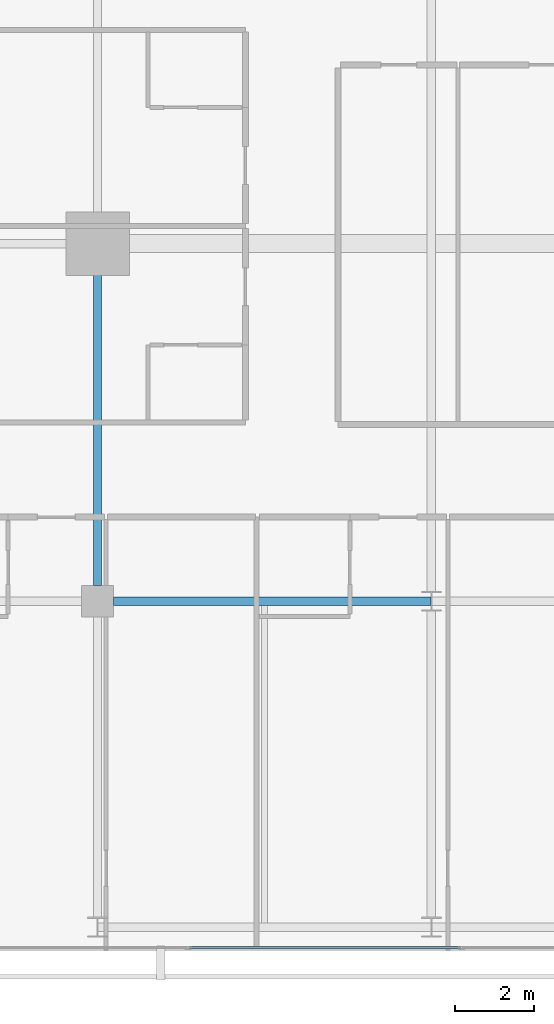
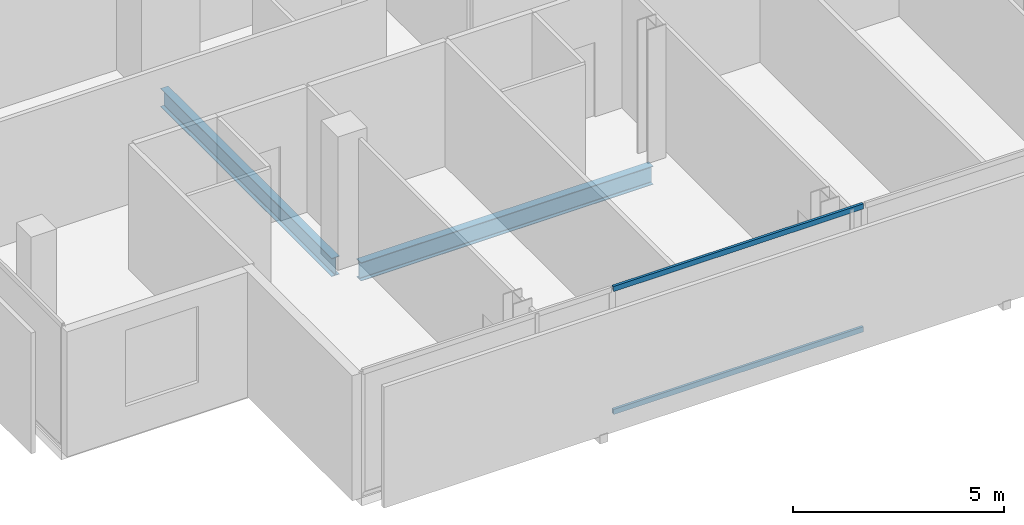
# One storey, part 5 of 26: 2 beams, 2 members, 1 element without a shape of its own.
"""IFC4 building model written with IfcOpenShell, lengths in metres."""

from ifc_helpers import new_model, si_unit, direction, frame, origin, origin_2d, place, context, subcontext, project, spatial, hollow_rectangle, i_section, extrude, material, layer, layer_set, material_profile, profile_set, type_object, element, aggregate, save


model = new_model("IFC4")

# Units and contexts
model_context = context("Model", 3, precision=1e-05, world=origin(), true_north=direction((0.0, 1.0)))
body_context = subcontext(model_context, "Body", "Model", "MODEL_VIEW")
ifc_project = project(units=[si_unit("LENGTHUNIT", "METRE"), si_unit("AREAUNIT", "SQUARE_METRE"), si_unit("VOLUMEUNIT", "CUBIC_METRE"), si_unit("PLANEANGLEUNIT", "RADIAN"), si_unit("MASSUNIT", "GRAM", prefix="KILO")], contexts=[model_context])

# Site, building, storey
site_placement = place(None, origin())
site = spatial("IfcSite", under=ifc_project, at=site_placement, CompositionType="ELEMENT")
building_placement = place(site_placement, origin())
building = spatial("IfcBuilding", under=site, at=building_placement, Name="Maruvema Waterfront Hotel and Observation Tower", CompositionType="ELEMENT")
storey_placement = place(building_placement, frame((0.0, 0.0, 258.64990234375)))
storey = spatial("IfcBuildingStorey", under=building, at=storey_placement, Name="L63", CompositionType="ELEMENT", Elevation=258.64990234375)

# Curtain wall, members
ifc_material_1 = material(Name="Anodised bronze aluminium and solar-control low-E IGU", Category="aluminium")
ifc_layer = layer(ifc_material_1, 0.159912109375, Name="Zone 3 Champagne Inner Thermal Curtain Wall System CW-04")
ifc_layer_set = layer_set([ifc_layer], Name="Anodised bronze aluminium and solar-control low-E IGU")
curtain_wall_type = type_object("IfcCurtainWallType", Name="Zone 3 Champagne Inner Thermal Curtain Wall System CW-04", PredefinedType="USERDEFINED", material=ifc_layer_set)
curtain_wall_placement = place(storey_placement, origin())
curtain_wall = element("IfcCurtainWall", 1, at=curtain_wall_placement, inside=storey, type_object=curtain_wall_type, Name="L63 Curtain Wall CW-L63-S", ObjectType="UNITISED CURTAIN WALL", PredefinedType="USERDEFINED")
ifc_material_2 = material(Name="Anodised architectural bronze aluminium", Category="aluminium")
ifc_material_profile_1 = material_profile(ifc_material_2, hollow_rectangle(XDim=0.070068359375, YDim=0.14990234375, WallThickness=0.00390625, at=origin_2d()), Name="ALU-T70x150")
ifc_profile_set_1 = profile_set([ifc_material_profile_1], Name="Anodised architectural bronze aluminium")
member_type = type_object("IfcMemberType", Name="Curtain Wall Horizontal Transom ALU-T70x150", PredefinedType="USERDEFINED", material=ifc_profile_set_1)
member_1_placement = place(storey_placement, frame((27.510009765625, 9.280029296875, 0.030029296875), z_axis=(1.0, 0.0, 0.0), x_axis=(0.0, 1.0, 0.0)))
member_1 = element("IfcMember", 2, at=member_1_placement, type_object=member_type, Name="CW-04 transom 2.1", ObjectType="TRANSOM", PredefinedType="USERDEFINED", context=body_context, shape_type="SweptSolid", body=[
    extrude(hollow_rectangle(XDim=0.070068359375, YDim=0.14990234375, WallThickness=0.00390625, at=origin_2d()), origin(), (0.0, 0.0, 1.0), 6.820068359375),
])
member_2_placement = place(storey_placement, frame((27.510009765625, 9.280029296875, 3.580078125), z_axis=(1.0, 0.0, 0.0), x_axis=(0.0, 1.0, 0.0)))
member_2 = element("IfcMember", 3, at=member_2_placement, type_object=member_type, Name="CW-04 transom 2.2", ObjectType="TRANSOM", PredefinedType="USERDEFINED", context=body_context, shape_type="SweptSolid", body=[
    extrude(hollow_rectangle(XDim=0.070068359375, YDim=0.14990234375, WallThickness=0.00390625, at=origin_2d()), origin(), (0.0, 0.0, 1.0), 6.820068359375),
])
aggregate(curtain_wall, [member_1, member_2])

# Beams
ifc_material_3 = material(Name="Steel ASTM A572 Grade 50", Category="steel")
ifc_material_profile_2 = material_profile(ifc_material_3, i_section(OverallWidth=0.208984375, OverallDepth=0.532958984375, WebThickness=0.01025390625, FlangeThickness=0.015625, FilletRadius=0.014892578125, at=origin_2d()), Name="W530x92.0")
ifc_profile_set_2 = profile_set([ifc_material_profile_2], Name="Steel ASTM A572 Grade 50")
beam_type = type_object("IfcBeamType", Name="Primary Floor Girder W530x92.0", PredefinedType="BEAM", material=ifc_profile_set_2)
beam_1_placement = place(storey_placement, frame((25.60009765625, 18.0, -0.50634765625), z_axis=(1.0, 0.0, 0.0), x_axis=(0.0, 1.0, 0.0)))
element("IfcBeam", 4, at=beam_1_placement, inside=storey, type_object=beam_type, Name="L63 Floor Girder EW-05", PredefinedType="BEAM", context=body_context, shape_type="SweptSolid", body=[
    extrude(i_section(OverallWidth=0.208984375, OverallDepth=0.532958984375, WebThickness=0.01025390625, FlangeThickness=0.015625, FilletRadius=0.014892578125, at=origin_2d()), origin(), (0.0, 0.0, 1.0), 7.989013671875),
])
beam_2_placement = place(storey_placement, frame((25.199951171875, 18.39990234375, -0.50634765625), z_axis=(0.0, 1.0, 0.0), x_axis=(-1.0, 0.0, 0.0)))
element("IfcBeam", 5, at=beam_2_placement, inside=storey, type_object=beam_type, Name="L63 Floor Girder NS-05", PredefinedType="BEAM", context=body_context, shape_type="SweptSolid", body=[
    extrude(i_section(OverallWidth=0.208984375, OverallDepth=0.532958984375, WebThickness=0.01025390625, FlangeThickness=0.015625, FilletRadius=0.014892578125, at=origin_2d()), origin(), (0.0, 0.0, 1.0), 8.10009765625),
])

save(model, "model.ifc")
